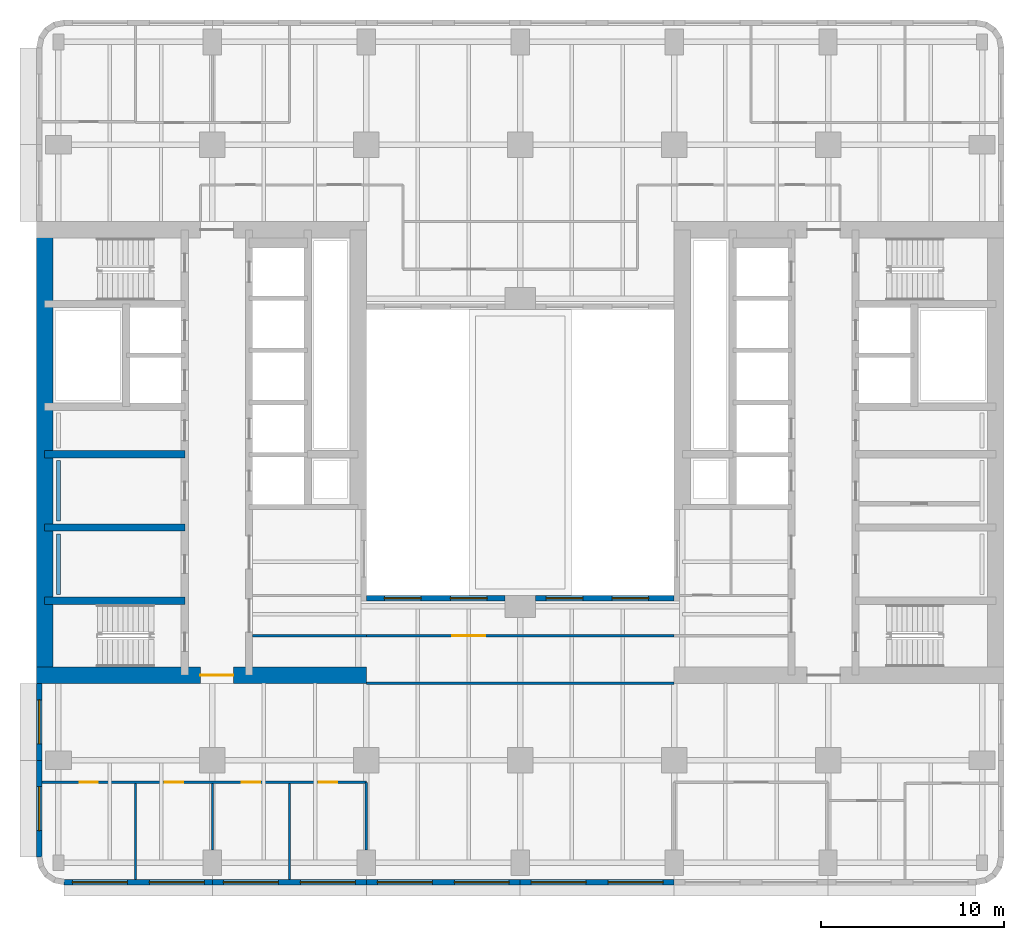
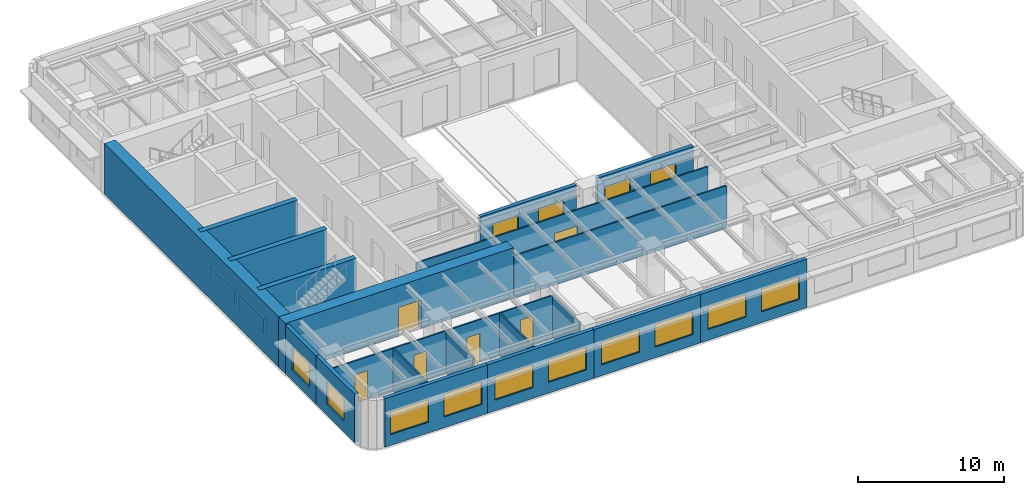
# One storey, part 3 of 14: 23 walls, 14 windows, 6 doors, 20 openings.
"""IFC4 building model written with IfcOpenShell, lengths in metres."""

from ifc_helpers import new_model, si_unit, direction, frame, frame_2d, origin, place, context, subcontext, project, spatial, rectangle, extrude, material, layer, layer_set, type_object, element, fill, save


model = new_model("IFC4")

# Units and contexts
model_context = context("Model", 3, precision=1e-05, world=origin(), true_north=direction((0.0, 1.0)))
body_context = subcontext(model_context, "Body", "Model", "MODEL_VIEW")
ifc_project = project(units=[si_unit("LENGTHUNIT", "METRE"), si_unit("AREAUNIT", "SQUARE_METRE"), si_unit("VOLUMEUNIT", "CUBIC_METRE"), si_unit("PLANEANGLEUNIT", "RADIAN"), si_unit("MASSUNIT", "GRAM", prefix="KILO")], contexts=[model_context])

# Site, building, storey
site_placement = place(None, origin())
site = spatial("IfcSite", under=ifc_project, at=site_placement, CompositionType="ELEMENT")
building_placement = place(site_placement, origin())
building = spatial("IfcBuilding", under=site, at=building_placement, Name="Claustro Exchange Tower", CompositionType="ELEMENT")
storey_placement = place(building_placement, frame((0.0, 0.0, 100.800048828125)))
storey = spatial("IfcBuildingStorey", under=building, at=storey_placement, Name="L22", CompositionType="ELEMENT", Elevation=100.800048828125)

# Wall, openings, doors
ifc_material_1 = material(Name="Laminated glass in aluminium frame", Category="aluminium")
ifc_layer_1 = layer(ifc_material_1, 0.1201171875)
ifc_layer_set_1 = layer_set([ifc_layer_1], Name="Laminated glass in aluminium frame")
wall_type_1 = type_object("IfcWallType", Name="P2 120 glazed partition", PredefinedType="PARTITIONING", material=ifc_layer_set_1)
wall_1_placement = place(storey_placement, frame((-0.902099609375, 7.199951171875, 0.0), z_axis=(0.0, 0.0, 1.0), x_axis=(1.0, 0.0, 0.0)))
wall_1 = element("IfcWall", 1, at=wall_1_placement, inside=storey, type_object=wall_type_1, Name="Partition P2 L22", PredefinedType="PARTITIONING", context=body_context, shape_type="SweptSolid", body=[
    extrude(rectangle(XDim=17.7021484375, YDim=0.1201171875, at=frame_2d((8.85107421875, 0.0))), origin(), (0.0, 0.0, 1.0), 3.550048828125),
])
opening_1_placement = place(wall_1_placement, frame((2.052001953125, 0.0, 0.0)))
opening_1 = element("IfcOpeningElement", 2, at=opening_1_placement, cuts=wall_1, Name="Opening D7", PredefinedType="OPENING", context=body_context, shape_type="SweptSolid", body=[
    extrude(rectangle(XDim=1.0, YDim=2.39990234375, at=frame_2d((0.5, 1.199951171875))), frame((0.0, 0.070068359375, 0.0), z_axis=(0.0, -1.0, 0.0), x_axis=(1.0, 0.0, 0.0)), (0.0, 0.0, 1.0), 0.14013671875),
])
opening_2_placement = place(wall_1_placement, frame((6.701904296875, 0.0, 0.0)))
opening_2 = element("IfcOpeningElement", 3, at=opening_2_placement, cuts=wall_1, Name="Opening D7", PredefinedType="OPENING", context=body_context, shape_type="SweptSolid", body=[
    extrude(rectangle(XDim=1.0, YDim=2.39990234375, at=frame_2d((0.5, 1.199951171875))), frame((0.0, 0.070068359375, 0.0), z_axis=(0.0, -1.0, 0.0), x_axis=(1.0, 0.0, 0.0)), (0.0, 0.0, 1.0), 0.14013671875),
])
opening_3_placement = place(wall_1_placement, frame((10.902099609375, 0.0, 0.0)))
opening_3 = element("IfcOpeningElement", 4, at=opening_3_placement, cuts=wall_1, Name="Opening D7", PredefinedType="OPENING", context=body_context, shape_type="SweptSolid", body=[
    extrude(rectangle(XDim=1.0, YDim=2.39990234375, at=frame_2d((0.5, 1.199951171875))), frame((0.0, 0.070068359375, 0.0), z_axis=(0.0, -1.0, 0.0), x_axis=(1.0, 0.0, 0.0)), (0.0, 0.0, 1.0), 0.14013671875),
])
opening_4_placement = place(wall_1_placement, frame((15.10205078125, 0.0, 0.0)))
opening_4 = element("IfcOpeningElement", 5, at=opening_4_placement, cuts=wall_1, Name="Opening D7", PredefinedType="OPENING", context=body_context, shape_type="SweptSolid", body=[
    extrude(rectangle(XDim=1.0, YDim=2.39990234375, at=frame_2d((0.5, 1.199951171875))), frame((0.0, 0.070068359375, 0.0), z_axis=(0.0, -1.0, 0.0), x_axis=(1.0, 0.0, 0.0)), (0.0, 0.0, 1.0), 0.14013671875),
])
ifc_material_2 = material(Name="Glass door in aluminium frame", Category="aluminium")
door_type_1 = type_object("IfcDoorType", Name="D7 1000 x 2400 glazed door", OperationType="SINGLE_SWING_LEFT", PredefinedType="DOOR", material=ifc_material_2)
door_1_placement = place(opening_1_placement, frame((1.0, 0.0, 0.0), z_axis=(0.0, 0.0, 1.0), x_axis=(-1.0, 0.0, 0.0)))
door_1 = element("IfcDoor", 6, at=door_1_placement, inside=storey, type_object=door_type_1, Name="Door D7 L22", OperationType="SINGLE_SWING_LEFT", OverallHeight=2.39990234375, OverallWidth=1.0, PredefinedType="DOOR", context=body_context, shape_type="SweptSolid", body=[
    extrude(rectangle(XDim=1.0, YDim=2.39990234375, at=frame_2d((0.5, 1.199951171875))), frame((0.0, 0.02490234375, 0.0), z_axis=(0.0, -1.0, 0.0), x_axis=(1.0, 0.0, 0.0)), (0.0, 0.0, 1.0), 0.050048828125),
])
fill(opening_1, door_1)
door_2_placement = place(opening_2_placement, frame((1.0, 0.0, 0.0), z_axis=(0.0, 0.0, 1.0), x_axis=(-1.0, 0.0, 0.0)))
door_2 = element("IfcDoor", 7, at=door_2_placement, inside=storey, type_object=door_type_1, Name="Door D7 L22", OperationType="SINGLE_SWING_RIGHT", OverallHeight=2.39990234375, OverallWidth=1.0, PredefinedType="DOOR", context=body_context, shape_type="SweptSolid", body=[
    extrude(rectangle(XDim=1.0, YDim=2.39990234375, at=frame_2d((0.5, 1.199951171875))), frame((0.0, 0.02490234375, 0.0), z_axis=(0.0, -1.0, 0.0), x_axis=(1.0, 0.0, 0.0)), (0.0, 0.0, 1.0), 0.050048828125),
])
fill(opening_2, door_2)
door_3_placement = place(opening_3_placement, frame((1.0, 0.0, 0.0), z_axis=(0.0, 0.0, 1.0), x_axis=(-1.0, 0.0, 0.0)))
door_3 = element("IfcDoor", 8, at=door_3_placement, inside=storey, type_object=door_type_1, Name="Door D7 L22", OperationType="SINGLE_SWING_RIGHT", OverallHeight=2.39990234375, OverallWidth=1.0, PredefinedType="DOOR", context=body_context, shape_type="SweptSolid", body=[
    extrude(rectangle(XDim=1.0, YDim=2.39990234375, at=frame_2d((0.5, 1.199951171875))), frame((0.0, 0.02490234375, 0.0), z_axis=(0.0, -1.0, 0.0), x_axis=(1.0, 0.0, 0.0)), (0.0, 0.0, 1.0), 0.050048828125),
])
fill(opening_3, door_3)
door_4_placement = place(opening_4_placement, frame((1.0, 0.0, 0.0), z_axis=(0.0, 0.0, 1.0), x_axis=(-1.0, 0.0, 0.0)))
door_4 = element("IfcDoor", 9, at=door_4_placement, inside=storey, type_object=door_type_1, Name="Door D7 L22", OperationType="SINGLE_SWING_RIGHT", OverallHeight=2.39990234375, OverallWidth=1.0, PredefinedType="DOOR", context=body_context, shape_type="SweptSolid", body=[
    extrude(rectangle(XDim=1.0, YDim=2.39990234375, at=frame_2d((0.5, 1.199951171875))), frame((0.0, 0.02490234375, 0.0), z_axis=(0.0, -1.0, 0.0), x_axis=(1.0, 0.0, 0.0)), (0.0, 0.0, 1.0), 0.050048828125),
])
fill(opening_4, door_4)

# Walls
wall_2_placement = place(storey_placement, frame((4.199951171875, 1.89794921875, 0.0), z_axis=(0.0, 0.0, 1.0), x_axis=(0.0, 1.0, 0.0)))
element("IfcWall", 10, at=wall_2_placement, inside=storey, type_object=wall_type_1, Name="Partition P2 L22", PredefinedType="PARTITIONING", context=body_context, shape_type="SweptSolid", body=[
    extrude(rectangle(XDim=5.244140625, YDim=0.1201171875, at=frame_2d((2.6220703125, 0.0))), origin(), (0.0, 0.0, 1.0), 3.56005859375),
])
wall_3_placement = place(storey_placement, frame((8.39990234375, 3.4990234375, 0.0), z_axis=(0.0, 0.0, 1.0), x_axis=(0.0, 1.0, 0.0)))
element("IfcWall", 11, at=wall_3_placement, inside=storey, type_object=wall_type_1, Name="Partition P2 L22", PredefinedType="PARTITIONING", context=body_context, shape_type="SweptSolid", body=[
    extrude(rectangle(XDim=3.64306640625, YDim=0.1201171875, at=frame_2d((1.821533203125, 0.0))), origin(), (0.0, 0.0, 1.0), 3.550048828125),
])
wall_4_placement = place(storey_placement, frame((12.60009765625, 1.89794921875, 0.0), z_axis=(0.0, 0.0, 1.0), x_axis=(0.0, 1.0, 0.0)))
element("IfcWall", 12, at=wall_4_placement, inside=storey, type_object=wall_type_1, Name="Partition P2 L22", PredefinedType="PARTITIONING", context=body_context, shape_type="SweptSolid", body=[
    extrude(rectangle(XDim=5.244140625, YDim=0.1201171875, at=frame_2d((2.6220703125, 0.0))), origin(), (0.0, 0.0, 1.0), 3.56005859375),
])
wall_5_placement = place(storey_placement, frame((16.800048828125, 3.4990234375, 0.0), z_axis=(0.0, 0.0, 1.0), x_axis=(0.0, 1.0, 0.0)))
element("IfcWall", 13, at=wall_5_placement, inside=storey, type_object=wall_type_1, Name="Partition P2 L22", PredefinedType="PARTITIONING", context=body_context, shape_type="SweptSolid", body=[
    extrude(rectangle(XDim=3.700927734375, YDim=0.1201171875, at=frame_2d((1.8505859375, 0.0))), origin(), (0.0, 0.0, 1.0), 3.550048828125),
])
wall_6_placement = place(storey_placement, frame((10.597900390625, 15.199951171875, 0.0), z_axis=(0.0, 0.0, 1.0), x_axis=(1.0, 0.0, 0.0)))
element("IfcWall", 14, at=wall_6_placement, inside=storey, type_object=wall_type_1, Name="Partition P2 L22", PredefinedType="PARTITIONING", context=body_context, shape_type="SweptSolid", body=[
    extrude(rectangle(XDim=6.2041015625, YDim=0.1201171875, at=frame_2d((3.10205078125, 0.0))), origin(), (0.0, 0.0, 1.0), 3.550048828125),
])

# Wall, opening, door
wall_7_placement = place(storey_placement, frame((16.798095703125, 15.199951171875, 0.0), z_axis=(0.0, 0.0, 1.0), x_axis=(1.0, 0.0, 0.0)))
wall_7 = element("IfcWall", 15, at=wall_7_placement, inside=storey, type_object=wall_type_1, Name="Partition P2 L22", PredefinedType="PARTITIONING", context=body_context, shape_type="SweptSolid", body=[
    extrude(rectangle(XDim=16.803955078125, YDim=0.1201171875, at=frame_2d((8.40185546875, 0.0))), origin(), (0.0, 0.0, 1.0), 3.550048828125),
])
opening_5_placement = place(wall_7_placement, frame((4.701904296875, 0.0, 0.0)))
opening_5 = element("IfcOpeningElement", 16, at=opening_5_placement, cuts=wall_7, Name="Opening D2", PredefinedType="OPENING", context=body_context, shape_type="SweptSolid", body=[
    extrude(rectangle(XDim=1.800048828125, YDim=2.199951171875, at=frame_2d((0.89990234375, 1.10009765625))), frame((0.0, 0.070068359375, 0.0), z_axis=(0.0, -1.0, 0.0), x_axis=(1.0, 0.0, 0.0)), (0.0, 0.0, 1.0), 0.14013671875),
])
ifc_material_3 = material(Name="Timber door, oak veneer", Category="wood")
door_type_2 = type_object("IfcDoorType", Name="D2 1800 x 2200 double door", OperationType="DOUBLE_DOOR_SINGLE_SWING", PredefinedType="DOOR", material=ifc_material_3)
door_5_placement = place(opening_5_placement, frame((1.800048828125, 0.0, 0.0), z_axis=(0.0, 0.0, 1.0), x_axis=(-1.0, 0.0, 0.0)))
door_5 = element("IfcDoor", 17, at=door_5_placement, inside=storey, type_object=door_type_2, Name="Double door D2 L22", OperationType="DOUBLE_DOOR_SINGLE_SWING", OverallHeight=2.199951171875, OverallWidth=1.800048828125, PredefinedType="DOOR", context=body_context, shape_type="SweptSolid", body=[
    extrude(rectangle(XDim=1.800048828125, YDim=2.199951171875, at=frame_2d((0.89990234375, 1.10009765625))), frame((0.0, 0.02490234375, 0.0), z_axis=(0.0, -1.0, 0.0), x_axis=(1.0, 0.0, 0.0)), (0.0, 0.0, 1.0), 0.050048828125),
])
fill(opening_5, door_5)

# Wall
wall_8_placement = place(storey_placement, frame((16.800048828125, 12.60009765625, 0.0), z_axis=(0.0, 0.0, 1.0), x_axis=(1.0, 0.0, 0.0)))
element("IfcWall", 18, at=wall_8_placement, inside=storey, type_object=wall_type_1, Name="Partition P2 L22", PredefinedType="PARTITIONING", context=body_context, shape_type="SweptSolid", body=[
    extrude(rectangle(XDim=16.800048828125, YDim=0.1201171875, at=frame_2d((8.39990234375, 0.0))), origin(), (0.0, 0.0, 1.0), 3.550048828125),
])

# Wall, openings, windows
ifc_material_4 = material(Name="Concrete HA-40 (C40/50), precast, white cement, acid-etched", Category="concrete")
ifc_layer_2 = layer(ifc_material_4, 0.300048828125)
ifc_layer_set_2 = layer_set([ifc_layer_2], Name="Concrete HA-40 (C40/50), precast, white cement, acid-etched")
wall_type_2 = type_object("IfcWallType", Name="PC1 300 precast concrete pier panel", PredefinedType="SOLIDWALL", material=ifc_layer_set_2)
wall_9_placement = place(storey_placement, frame((33.60009765625, 1.75, 0.0), z_axis=(0.0, 0.0, 1.0), x_axis=(-1.0, 0.0, 0.0)))
wall_9 = element("IfcWall", 19, at=wall_9_placement, inside=storey, type_object=wall_type_2, Name="Precast pier panel PC1 L22", PredefinedType="SOLIDWALL", context=body_context, shape_type="SweptSolid", body=[
    extrude(rectangle(XDim=8.400146484375, YDim=0.300048828125, at=frame_2d((4.2001953125, 0.0))), origin(), (0.0, 0.0, 1.0), 4.050048828125),
])
opening_6_placement = place(wall_9_placement, frame((0.60009765625, 0.0, 0.89990234375)))
opening_6 = element("IfcOpeningElement", 20, at=opening_6_placement, cuts=wall_9, Name="Opening W1", PredefinedType="OPENING", context=body_context, shape_type="SweptSolid", body=[
    extrude(rectangle(XDim=3.0, YDim=1.89990234375, at=frame_2d((1.5, 0.949951171875))), frame((0.0, 0.159912109375, 0.0), z_axis=(0.0, -1.0, 0.0), x_axis=(1.0, 0.0, 0.0)), (0.0, 0.0, 1.0), 0.320068359375),
])
opening_7_placement = place(wall_9_placement, frame((4.800048828125, 0.0, 0.89990234375)))
opening_7 = element("IfcOpeningElement", 21, at=opening_7_placement, cuts=wall_9, Name="Opening W1", PredefinedType="OPENING", context=body_context, shape_type="SweptSolid", body=[
    extrude(rectangle(XDim=3.0, YDim=1.89990234375, at=frame_2d((1.5, 0.949951171875))), frame((0.0, 0.159912109375, 0.0), z_axis=(0.0, -1.0, 0.0), x_axis=(1.0, 0.0, 0.0)), (0.0, 0.0, 1.0), 0.320068359375),
])
ifc_material_5 = material(Name="Aluminium frame, clear double glazing", Category="aluminium")
window_type_1 = type_object("IfcWindowType", Name="W1 3000 x 1900 window", PartitioningType="SINGLE_PANEL", PredefinedType="WINDOW", material=ifc_material_5)
window_1_placement = place(opening_6_placement, origin())
window_1 = element("IfcWindow", 22, at=window_1_placement, inside=storey, type_object=window_type_1, Name="Window W1 L22", OverallHeight=1.89990234375, OverallWidth=3.0, PartitioningType="SINGLE_PANEL", PredefinedType="WINDOW", context=body_context, shape_type="SweptSolid", body=[
    extrude(rectangle(XDim=3.0, YDim=1.89990234375, at=frame_2d((1.5, 0.949951171875))), frame((0.0, 0.030029296875, 0.0), z_axis=(0.0, -1.0, 0.0), x_axis=(1.0, 0.0, 0.0)), (0.0, 0.0, 1.0), 0.06005859375),
])
fill(opening_6, window_1)
window_2_placement = place(opening_7_placement, origin())
window_2 = element("IfcWindow", 23, at=window_2_placement, inside=storey, type_object=window_type_1, Name="Window W1 L22", OverallHeight=1.89990234375, OverallWidth=3.0, PartitioningType="SINGLE_PANEL", PredefinedType="WINDOW", context=body_context, shape_type="SweptSolid", body=[
    extrude(rectangle(XDim=3.0, YDim=1.89990234375, at=frame_2d((1.5, 0.949951171875))), frame((0.0, 0.030029296875, 0.0), z_axis=(0.0, -1.0, 0.0), x_axis=(1.0, 0.0, 0.0)), (0.0, 0.0, 1.0), 0.06005859375),
])
fill(opening_7, window_2)

wall_10_placement = place(storey_placement, frame((25.199951171875, 1.75, 0.0), z_axis=(0.0, 0.0, 1.0), x_axis=(-1.0, 0.0, 0.0)))
wall_10 = element("IfcWall", 24, at=wall_10_placement, inside=storey, type_object=wall_type_2, Name="Precast pier panel PC1 L22", PredefinedType="SOLIDWALL", context=body_context, shape_type="SweptSolid", body=[
    extrude(rectangle(XDim=8.39990234375, YDim=0.300048828125, at=frame_2d((4.199951171875, 0.0))), origin(), (0.0, 0.0, 1.0), 4.050048828125),
])
opening_8_placement = place(wall_10_placement, frame((0.60009765625, 0.0, 0.89990234375)))
opening_8 = element("IfcOpeningElement", 25, at=opening_8_placement, cuts=wall_10, Name="Opening W1", PredefinedType="OPENING", context=body_context, shape_type="SweptSolid", body=[
    extrude(rectangle(XDim=3.0, YDim=1.89990234375, at=frame_2d((1.5, 0.949951171875))), frame((0.0, 0.159912109375, 0.0), z_axis=(0.0, -1.0, 0.0), x_axis=(1.0, 0.0, 0.0)), (0.0, 0.0, 1.0), 0.320068359375),
])
opening_9_placement = place(wall_10_placement, frame((4.800048828125, 0.0, 0.89990234375)))
opening_9 = element("IfcOpeningElement", 26, at=opening_9_placement, cuts=wall_10, Name="Opening W1", PredefinedType="OPENING", context=body_context, shape_type="SweptSolid", body=[
    extrude(rectangle(XDim=3.0, YDim=1.89990234375, at=frame_2d((1.5, 0.949951171875))), frame((0.0, 0.159912109375, 0.0), z_axis=(0.0, -1.0, 0.0), x_axis=(1.0, 0.0, 0.0)), (0.0, 0.0, 1.0), 0.320068359375),
])
window_3_placement = place(opening_8_placement, origin())
window_3 = element("IfcWindow", 27, at=window_3_placement, inside=storey, type_object=window_type_1, Name="Window W1 L22", OverallHeight=1.89990234375, OverallWidth=3.0, PartitioningType="SINGLE_PANEL", PredefinedType="WINDOW", context=body_context, shape_type="SweptSolid", body=[
    extrude(rectangle(XDim=3.0, YDim=1.89990234375, at=frame_2d((1.5, 0.949951171875))), frame((0.0, 0.030029296875, 0.0), z_axis=(0.0, -1.0, 0.0), x_axis=(1.0, 0.0, 0.0)), (0.0, 0.0, 1.0), 0.06005859375),
])
fill(opening_8, window_3)
window_4_placement = place(opening_9_placement, origin())
window_4 = element("IfcWindow", 28, at=window_4_placement, inside=storey, type_object=window_type_1, Name="Window W1 L22", OverallHeight=1.89990234375, OverallWidth=3.0, PartitioningType="SINGLE_PANEL", PredefinedType="WINDOW", context=body_context, shape_type="SweptSolid", body=[
    extrude(rectangle(XDim=3.0, YDim=1.89990234375, at=frame_2d((1.5, 0.949951171875))), frame((0.0, 0.030029296875, 0.0), z_axis=(0.0, -1.0, 0.0), x_axis=(1.0, 0.0, 0.0)), (0.0, 0.0, 1.0), 0.06005859375),
])
fill(opening_9, window_4)

wall_11_placement = place(storey_placement, frame((16.800048828125, 1.75, 0.0), z_axis=(0.0, 0.0, 1.0), x_axis=(-1.0, 0.0, 0.0)))
wall_11 = element("IfcWall", 29, at=wall_11_placement, inside=storey, type_object=wall_type_2, Name="Precast pier panel PC1 L22", PredefinedType="SOLIDWALL", context=body_context, shape_type="SweptSolid", body=[
    extrude(rectangle(XDim=8.400146484375, YDim=0.300048828125, at=frame_2d((4.2001953125, 0.0))), origin(), (0.0, 0.0, 1.0), 4.050048828125),
])
opening_10_placement = place(wall_11_placement, frame((0.60009765625, 0.0, 0.89990234375)))
opening_10 = element("IfcOpeningElement", 30, at=opening_10_placement, cuts=wall_11, Name="Opening W1", PredefinedType="OPENING", context=body_context, shape_type="SweptSolid", body=[
    extrude(rectangle(XDim=3.0, YDim=1.89990234375, at=frame_2d((1.5, 0.949951171875))), frame((0.0, 0.159912109375, 0.0), z_axis=(0.0, -1.0, 0.0), x_axis=(1.0, 0.0, 0.0)), (0.0, 0.0, 1.0), 0.320068359375),
])
opening_11_placement = place(wall_11_placement, frame((4.800048828125, 0.0, 0.89990234375)))
opening_11 = element("IfcOpeningElement", 31, at=opening_11_placement, cuts=wall_11, Name="Opening W1", PredefinedType="OPENING", context=body_context, shape_type="SweptSolid", body=[
    extrude(rectangle(XDim=3.0, YDim=1.89990234375, at=frame_2d((1.5, 0.949951171875))), frame((0.0, 0.159912109375, 0.0), z_axis=(0.0, -1.0, 0.0), x_axis=(1.0, 0.0, 0.0)), (0.0, 0.0, 1.0), 0.320068359375),
])
window_5_placement = place(opening_10_placement, origin())
window_5 = element("IfcWindow", 32, at=window_5_placement, inside=storey, type_object=window_type_1, Name="Window W1 L22", OverallHeight=1.89990234375, OverallWidth=3.0, PartitioningType="SINGLE_PANEL", PredefinedType="WINDOW", context=body_context, shape_type="SweptSolid", body=[
    extrude(rectangle(XDim=3.0, YDim=1.89990234375, at=frame_2d((1.5, 0.949951171875))), frame((0.0, 0.030029296875, 0.0), z_axis=(0.0, -1.0, 0.0), x_axis=(1.0, 0.0, 0.0)), (0.0, 0.0, 1.0), 0.06005859375),
])
fill(opening_10, window_5)
window_6_placement = place(opening_11_placement, origin())
window_6 = element("IfcWindow", 33, at=window_6_placement, inside=storey, type_object=window_type_1, Name="Window W1 L22", OverallHeight=1.89990234375, OverallWidth=3.0, PartitioningType="SINGLE_PANEL", PredefinedType="WINDOW", context=body_context, shape_type="SweptSolid", body=[
    extrude(rectangle(XDim=3.0, YDim=1.89990234375, at=frame_2d((1.5, 0.949951171875))), frame((0.0, 0.030029296875, 0.0), z_axis=(0.0, -1.0, 0.0), x_axis=(1.0, 0.0, 0.0)), (0.0, 0.0, 1.0), 0.06005859375),
])
fill(opening_11, window_6)

wall_12_placement = place(storey_placement, frame((8.39990234375, 1.75, 0.0), z_axis=(0.0, 0.0, 1.0), x_axis=(-1.0, 0.0, 0.0)))
wall_12 = element("IfcWall", 34, at=wall_12_placement, inside=storey, type_object=wall_type_2, Name="Precast pier panel PC1 L22", PredefinedType="SOLIDWALL", context=body_context, shape_type="SweptSolid", body=[
    extrude(rectangle(XDim=8.085205078125, YDim=0.300048828125, at=frame_2d((4.04248046875, 0.0))), origin(), (0.0, 0.0, 1.0), 4.050048828125),
])
opening_12_placement = place(wall_12_placement, frame((0.442626953125, 0.0, 0.89990234375)))
opening_12 = element("IfcOpeningElement", 35, at=opening_12_placement, cuts=wall_12, Name="Opening W1", PredefinedType="OPENING", context=body_context, shape_type="SweptSolid", body=[
    extrude(rectangle(XDim=3.0, YDim=1.89990234375, at=frame_2d((1.5, 0.949951171875))), frame((0.0, 0.159912109375, 0.0), z_axis=(0.0, -1.0, 0.0), x_axis=(1.0, 0.0, 0.0)), (0.0, 0.0, 1.0), 0.320068359375),
])
opening_13_placement = place(wall_12_placement, frame((4.642578125, 0.0, 0.89990234375)))
opening_13 = element("IfcOpeningElement", 36, at=opening_13_placement, cuts=wall_12, Name="Opening W1", PredefinedType="OPENING", context=body_context, shape_type="SweptSolid", body=[
    extrude(rectangle(XDim=3.0, YDim=1.89990234375, at=frame_2d((1.5, 0.949951171875))), frame((0.0, 0.159912109375, 0.0), z_axis=(0.0, -1.0, 0.0), x_axis=(1.0, 0.0, 0.0)), (0.0, 0.0, 1.0), 0.320068359375),
])
window_7_placement = place(opening_12_placement, origin())
window_7 = element("IfcWindow", 37, at=window_7_placement, inside=storey, type_object=window_type_1, Name="Window W1 L22", OverallHeight=1.89990234375, OverallWidth=3.0, PartitioningType="SINGLE_PANEL", PredefinedType="WINDOW", context=body_context, shape_type="SweptSolid", body=[
    extrude(rectangle(XDim=3.0, YDim=1.89990234375, at=frame_2d((1.5, 0.949951171875))), frame((0.0, 0.030029296875, 0.0), z_axis=(0.0, -1.0, 0.0), x_axis=(1.0, 0.0, 0.0)), (0.0, 0.0, 1.0), 0.06005859375),
])
fill(opening_12, window_7)
window_8_placement = place(opening_13_placement, origin())
window_8 = element("IfcWindow", 38, at=window_8_placement, inside=storey, type_object=window_type_1, Name="Window W1 L22", OverallHeight=1.89990234375, OverallWidth=3.0, PartitioningType="SINGLE_PANEL", PredefinedType="WINDOW", context=body_context, shape_type="SweptSolid", body=[
    extrude(rectangle(XDim=3.0, YDim=1.89990234375, at=frame_2d((1.5, 0.949951171875))), frame((0.0, 0.030029296875, 0.0), z_axis=(0.0, -1.0, 0.0), x_axis=(1.0, 0.0, 0.0)), (0.0, 0.0, 1.0), 0.06005859375),
])
fill(opening_13, window_8)

# Wall, opening, window
wall_13_placement = place(storey_placement, frame((-1.050048828125, 3.11474609375, 0.0), z_axis=(0.0, 0.0, 1.0), x_axis=(0.0, 1.0, 0.0)))
wall_13 = element("IfcWall", 39, at=wall_13_placement, inside=storey, type_object=wall_type_2, Name="Precast pier panel PC1 L22", PredefinedType="SOLIDWALL", context=body_context, shape_type="SweptSolid", body=[
    extrude(rectangle(XDim=5.28515625, YDim=0.300048828125, at=frame_2d((2.642578125, 0.0))), origin(), (0.0, 0.0, 1.0), 4.050048828125),
])
opening_14_placement = place(wall_13_placement, frame((1.442626953125, 0.0, 0.89990234375)))
opening_14 = element("IfcOpeningElement", 40, at=opening_14_placement, cuts=wall_13, Name="Opening W2", PredefinedType="OPENING", context=body_context, shape_type="SweptSolid", body=[
    extrude(rectangle(XDim=2.39990234375, YDim=1.89990234375, at=frame_2d((1.199951171875, 0.949951171875))), frame((0.0, 0.159912109375, 0.0), z_axis=(0.0, -1.0, 0.0), x_axis=(1.0, 0.0, 0.0)), (0.0, 0.0, 1.0), 0.320068359375),
])
ifc_material_6 = material(Name="Aluminium frame, clear double glazing", Category="aluminium")
window_type_2 = type_object("IfcWindowType", Name="W2 2400 x 1900 window", PartitioningType="SINGLE_PANEL", PredefinedType="WINDOW", material=ifc_material_6)
window_9_placement = place(opening_14_placement, origin())
window_9 = element("IfcWindow", 41, at=window_9_placement, inside=storey, type_object=window_type_2, Name="Window W2 L22", OverallHeight=1.89990234375, OverallWidth=2.39990234375, PartitioningType="SINGLE_PANEL", PredefinedType="WINDOW", context=body_context, shape_type="SweptSolid", body=[
    extrude(rectangle(XDim=2.39990234375, YDim=1.89990234375, at=frame_2d((1.199951171875, 0.949951171875))), frame((0.0, 0.030029296875, 0.0), z_axis=(0.0, -1.0, 0.0), x_axis=(1.0, 0.0, 0.0)), (0.0, 0.0, 1.0), 0.06005859375),
])
fill(opening_14, window_9)

wall_14_placement = place(storey_placement, frame((-1.050048828125, 8.39990234375, 0.0), z_axis=(0.0, 0.0, 1.0), x_axis=(0.0, 1.0, 0.0)))
wall_14 = element("IfcWall", 42, at=wall_14_placement, inside=storey, type_object=wall_type_2, Name="Precast pier panel PC1 L22", PredefinedType="SOLIDWALL", context=body_context, shape_type="SweptSolid", body=[
    extrude(rectangle(XDim=4.2001953125, YDim=0.300048828125, at=frame_2d((2.10009765625, 0.0))), origin(), (0.0, 0.0, 1.0), 4.050048828125),
])
opening_15_placement = place(wall_14_placement, frame((0.89990234375, 0.0, 0.89990234375)))
opening_15 = element("IfcOpeningElement", 43, at=opening_15_placement, cuts=wall_14, Name="Opening W2", PredefinedType="OPENING", context=body_context, shape_type="SweptSolid", body=[
    extrude(rectangle(XDim=2.39990234375, YDim=1.89990234375, at=frame_2d((1.199951171875, 0.949951171875))), frame((0.0, 0.159912109375, 0.0), z_axis=(0.0, -1.0, 0.0), x_axis=(1.0, 0.0, 0.0)), (0.0, 0.0, 1.0), 0.320068359375),
])
window_10_placement = place(opening_15_placement, origin())
window_10 = element("IfcWindow", 44, at=window_10_placement, inside=storey, type_object=window_type_2, Name="Window W2 L22", OverallHeight=1.89990234375, OverallWidth=2.39990234375, PartitioningType="SINGLE_PANEL", PredefinedType="WINDOW", context=body_context, shape_type="SweptSolid", body=[
    extrude(rectangle(XDim=2.39990234375, YDim=1.89990234375, at=frame_2d((1.199951171875, 0.949951171875))), frame((0.0, 0.030029296875, 0.0), z_axis=(0.0, -1.0, 0.0), x_axis=(1.0, 0.0, 0.0)), (0.0, 0.0, 1.0), 0.06005859375),
])
fill(opening_15, window_10)

# Wall, openings, windows
wall_15_placement = place(storey_placement, frame((16.800048828125, 17.25, 0.0), z_axis=(0.0, 0.0, 1.0), x_axis=(1.0, 0.0, 0.0)))
wall_15 = element("IfcWall", 45, at=wall_15_placement, inside=storey, type_object=wall_type_2, Name="Precast pier panel PC1 L22", PredefinedType="SOLIDWALL", context=body_context, shape_type="SweptSolid", body=[
    extrude(rectangle(XDim=7.574951171875, YDim=0.300048828125, at=frame_2d((3.78759765625, 0.0))), origin(), (0.0, 0.0, 1.0), 4.050048828125),
])
opening_16_placement = place(wall_15_placement, frame((0.987548828125, 0.0, 0.10009765625)))
opening_16 = element("IfcOpeningElement", 46, at=opening_16_placement, cuts=wall_15, Name="Opening W-A", PredefinedType="OPENING", context=body_context, shape_type="SweptSolid", body=[
    extrude(rectangle(XDim=2.0, YDim=3.0, at=frame_2d((1.0, 1.5))), frame((0.0, 0.159912109375, 0.0), z_axis=(0.0, -1.0, 0.0), x_axis=(1.0, 0.0, 0.0)), (0.0, 0.0, 1.0), 0.320068359375),
])
opening_17_placement = place(wall_15_placement, frame((4.58740234375, 0.0, 0.10009765625)))
opening_17 = element("IfcOpeningElement", 47, at=opening_17_placement, cuts=wall_15, Name="Opening W-A", PredefinedType="OPENING", context=body_context, shape_type="SweptSolid", body=[
    extrude(rectangle(XDim=2.0, YDim=3.0, at=frame_2d((1.0, 1.5))), frame((0.0, 0.159912109375, 0.0), z_axis=(0.0, -1.0, 0.0), x_axis=(1.0, 0.0, 0.0)), (0.0, 0.0, 1.0), 0.320068359375),
])
ifc_material_7 = material(Name="Aluminium frame, clear double glazing", Category="aluminium")
window_type_3 = type_object("IfcWindowType", Name="W-A 2000 x 3000 arcade window", PartitioningType="SINGLE_PANEL", PredefinedType="WINDOW", material=ifc_material_7)
window_11_placement = place(opening_16_placement, origin())
window_11 = element("IfcWindow", 48, at=window_11_placement, inside=storey, type_object=window_type_3, Name="Window W-A L22", OverallHeight=3.0, OverallWidth=2.0, PartitioningType="SINGLE_PANEL", PredefinedType="WINDOW", context=body_context, shape_type="SweptSolid", body=[
    extrude(rectangle(XDim=2.0, YDim=3.0, at=frame_2d((1.0, 1.5))), frame((0.0, 0.030029296875, 0.0), z_axis=(0.0, -1.0, 0.0), x_axis=(1.0, 0.0, 0.0)), (0.0, 0.0, 1.0), 0.06005859375),
])
fill(opening_16, window_11)
window_12_placement = place(opening_17_placement, origin())
window_12 = element("IfcWindow", 49, at=window_12_placement, inside=storey, type_object=window_type_3, Name="Window W-A L22", OverallHeight=3.0, OverallWidth=2.0, PartitioningType="SINGLE_PANEL", PredefinedType="WINDOW", context=body_context, shape_type="SweptSolid", body=[
    extrude(rectangle(XDim=2.0, YDim=3.0, at=frame_2d((1.0, 1.5))), frame((0.0, 0.030029296875, 0.0), z_axis=(0.0, -1.0, 0.0), x_axis=(1.0, 0.0, 0.0)), (0.0, 0.0, 1.0), 0.06005859375),
])
fill(opening_17, window_12)

wall_16_placement = place(storey_placement, frame((26.02490234375, 17.25, 0.0), z_axis=(0.0, 0.0, 1.0), x_axis=(1.0, 0.0, 0.0)))
wall_16 = element("IfcWall", 50, at=wall_16_placement, inside=storey, type_object=wall_type_2, Name="Precast pier panel PC1 L22", PredefinedType="SOLIDWALL", context=body_context, shape_type="SweptSolid", body=[
    extrude(rectangle(XDim=7.5751953125, YDim=0.300048828125, at=frame_2d((3.78759765625, 0.0))), origin(), (0.0, 0.0, 1.0), 4.050048828125),
])
opening_18_placement = place(wall_16_placement, frame((0.58740234375, 0.0, 0.10009765625)))
opening_18 = element("IfcOpeningElement", 51, at=opening_18_placement, cuts=wall_16, Name="Opening W-A", PredefinedType="OPENING", context=body_context, shape_type="SweptSolid", body=[
    extrude(rectangle(XDim=2.0, YDim=3.0, at=frame_2d((1.0, 1.5))), frame((0.0, 0.159912109375, 0.0), z_axis=(0.0, -1.0, 0.0), x_axis=(1.0, 0.0, 0.0)), (0.0, 0.0, 1.0), 0.320068359375),
])
opening_19_placement = place(wall_16_placement, frame((4.1875, 0.0, 0.10009765625)))
opening_19 = element("IfcOpeningElement", 52, at=opening_19_placement, cuts=wall_16, Name="Opening W-A", PredefinedType="OPENING", context=body_context, shape_type="SweptSolid", body=[
    extrude(rectangle(XDim=2.0, YDim=3.0, at=frame_2d((1.0, 1.5))), frame((0.0, 0.159912109375, 0.0), z_axis=(0.0, -1.0, 0.0), x_axis=(1.0, 0.0, 0.0)), (0.0, 0.0, 1.0), 0.320068359375),
])
window_13_placement = place(opening_18_placement, origin())
window_13 = element("IfcWindow", 53, at=window_13_placement, inside=storey, type_object=window_type_3, Name="Window W-A L22", OverallHeight=3.0, OverallWidth=2.0, PartitioningType="SINGLE_PANEL", PredefinedType="WINDOW", context=body_context, shape_type="SweptSolid", body=[
    extrude(rectangle(XDim=2.0, YDim=3.0, at=frame_2d((1.0, 1.5))), frame((0.0, 0.030029296875, 0.0), z_axis=(0.0, -1.0, 0.0), x_axis=(1.0, 0.0, 0.0)), (0.0, 0.0, 1.0), 0.06005859375),
])
fill(opening_18, window_13)
window_14_placement = place(opening_19_placement, origin())
window_14 = element("IfcWindow", 54, at=window_14_placement, inside=storey, type_object=window_type_3, Name="Window W-A L22", OverallHeight=3.0, OverallWidth=2.0, PartitioningType="SINGLE_PANEL", PredefinedType="WINDOW", context=body_context, shape_type="SweptSolid", body=[
    extrude(rectangle(XDim=2.0, YDim=3.0, at=frame_2d((1.0, 1.5))), frame((0.0, 0.030029296875, 0.0), z_axis=(0.0, -1.0, 0.0), x_axis=(1.0, 0.0, 0.0)), (0.0, 0.0, 1.0), 0.06005859375),
])
fill(opening_19, window_14)

# Walls
ifc_material_8 = material(Name="Gypsum board on steel studs, tiled", Category="steel")
ifc_layer_3 = layer(ifc_material_8, 0.199951171875)
ifc_layer_set_3 = layer_set([ifc_layer_3], Name="Gypsum board on steel studs, tiled")
wall_type_3 = type_object("IfcWallType", Name="PW1 200 WC duct wall", PredefinedType="PLUMBINGWALL", material=ifc_layer_set_3)
for number, where, z_axis, x_axis, name in (
    (55, (0.0, 17.449951171875, 0.0), (0.0, 0.0, 1.0), (0.0, 1.0, 0.0), "WC duct wall PW1 L22"),
    (56, (0.0, 21.449951171875, 0.0), (0.0, 0.0, 1.0), (0.0, 1.0, 0.0), "WC duct wall PW1 L22"),
):
    element("IfcWall", number, at=place(storey_placement, frame(where, z_axis=z_axis, x_axis=x_axis)), inside=storey, type_object=wall_type_3, Name=name, PredefinedType="PLUMBINGWALL", context=body_context, shape_type="SweptSolid", body=[
        extrude(rectangle(XDim=3.300048828125, YDim=0.199951171875, at=frame_2d((1.64990234375, 0.0))), origin(), (0.0, 0.0, 1.0), 1.199951171875),
    ])

# Wall, opening, door
ifc_material_9 = material(Name="Concrete HA-70 (C70/85)", Category="concrete")
ifc_layer_4 = layer(ifc_material_9, 0.89990234375)
ifc_layer_set_4 = layer_set([ifc_layer_4], Name="Concrete HA-70 (C70/85)")
wall_type_4 = type_object("IfcWallType", Name="SW1 900 core shear wall", PredefinedType="SHEAR", material=ifc_layer_set_4)
wall_17_placement = place(storey_placement, frame((-1.199951171875, 13.050048828125, 0.0), z_axis=(0.0, 0.0, 1.0), x_axis=(1.0, 0.0, 0.0)))
wall_17 = element("IfcWall", 57, at=wall_17_placement, inside=storey, type_object=wall_type_4, Name="Core wall SW1 W core S face L22", PredefinedType="SHEAR", context=body_context, shape_type="SweptSolid", body=[
    extrude(rectangle(XDim=18.0, YDim=0.89990234375, at=frame_2d((9.0, 0.0))), origin(), (0.0, 0.0, 1.0), 4.199951171875),
])
opening_20_placement = place(wall_17_placement, frame((8.949951171875, 0.0, 0.0)))
opening_20 = element("IfcOpeningElement", 58, at=opening_20_placement, cuts=wall_17, Name="Opening D3", PredefinedType="OPENING", context=body_context, shape_type="SweptSolid", body=[
    extrude(rectangle(XDim=1.800048828125, YDim=2.39990234375, at=frame_2d((0.89990234375, 1.199951171875))), frame((0.0, 0.4599609375, 0.0), z_axis=(0.0, -1.0, 0.0), x_axis=(1.0, 0.0, 0.0)), (0.0, 0.0, 1.0), 0.919921875),
])
ifc_material_10 = material(Name="Steel fire door, painted", Category="steel")
door_type_3 = type_object("IfcDoorType", Name="D3 1800 x 2400 fire-rated lobby double door", OperationType="DOUBLE_DOOR_SINGLE_SWING", PredefinedType="DOOR", material=ifc_material_10)
door_6_placement = place(opening_20_placement, frame((1.800048828125, 0.0, 0.0), z_axis=(0.0, 0.0, 1.0), x_axis=(-1.0, 0.0, 0.0)))
door_6 = element("IfcDoor", 59, at=door_6_placement, inside=storey, type_object=door_type_3, Name="Lift lobby door D3 L22", OperationType="DOUBLE_DOOR_SINGLE_SWING", OverallHeight=2.39990234375, OverallWidth=1.800048828125, PredefinedType="DOOR", context=body_context, shape_type="SweptSolid", body=[
    extrude(rectangle(XDim=1.800048828125, YDim=2.39990234375, at=frame_2d((0.89990234375, 1.199951171875))), frame((0.0, 0.02490234375, 0.0), z_axis=(0.0, -1.0, 0.0), x_axis=(1.0, 0.0, 0.0)), (0.0, 0.0, 1.0), 0.050048828125),
])
fill(opening_20, door_6)

# Walls
ifc_material_11 = material(Name="Concrete HA-70 (C70/85)", Category="concrete")
ifc_layer_5 = layer(ifc_material_11, 0.89990234375)
ifc_layer_set_5 = layer_set([ifc_layer_5], Name="Concrete HA-70 (C70/85)")
wall_type_5 = type_object("IfcWallType", Name="SW1X 900 exposed core shear wall, board-marked face", PredefinedType="SHEAR", material=ifc_layer_set_5)
wall_18_placement = place(storey_placement, frame((-0.75, 13.050048828125, 0.0), z_axis=(0.0, 0.0, 1.0), x_axis=(0.0, 1.0, 0.0)))
element("IfcWall", 60, at=wall_18_placement, inside=storey, type_object=wall_type_5, Name="Core wall SW1X W core W face L22", PredefinedType="SHEAR", context=body_context, shape_type="SweptSolid", body=[
    extrude(rectangle(XDim=24.300048828125, YDim=0.89990234375, at=frame_2d((12.14990234375, 0.0))), origin(), (0.0, 0.0, 1.0), 4.199951171875),
])
ifc_material_12 = material(Name="Concrete HA-50 (C50/60)", Category="concrete")
ifc_layer_6 = layer(ifc_material_12, 0.39990234375)
ifc_layer_set_6 = layer_set([ifc_layer_6], Name="Concrete HA-50 (C50/60)")
wall_type_6 = type_object("IfcWallType", Name="SW4 400 internal core wall", PredefinedType="SHEAR", material=ifc_layer_set_6)
for number, where, z_axis, x_axis, name in (
    (61, (-0.75, 17.10009765625, 0.0), (0.0, 0.0, 1.0), (1.0, 0.0, 0.0), "Internal core wall SW4 W core L22"),
    (62, (-0.75, 21.10009765625, 0.0), (0.0, 0.0, 1.0), (1.0, 0.0, 0.0), "Internal core wall SW4 W core L22"),
    (63, (-0.75, 25.10009765625, 0.0), (0.0, 0.0, 1.0), (1.0, 0.0, 0.0), "Internal core wall SW4 W core L22"),
):
    element("IfcWall", number, at=place(storey_placement, frame(where, z_axis=z_axis, x_axis=x_axis)), inside=storey, type_object=wall_type_6, Name=name, PredefinedType="SHEAR", context=body_context, shape_type="SweptSolid", body=[
        extrude(rectangle(XDim=7.64990234375, YDim=0.39990234375, at=frame_2d((3.824951171875, 0.0))), origin(), (0.0, 0.0, 1.0), 4.199951171875),
    ])

save(model, "model.ifc")
